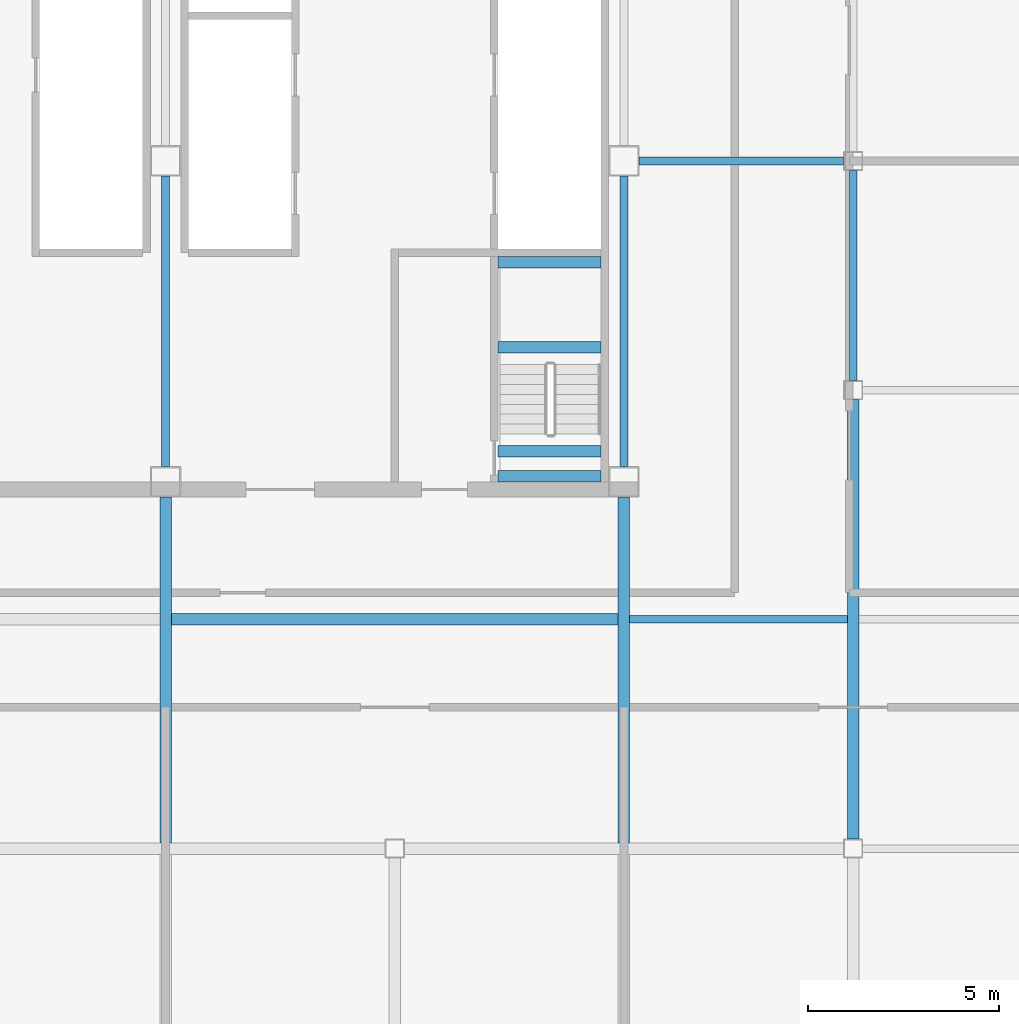
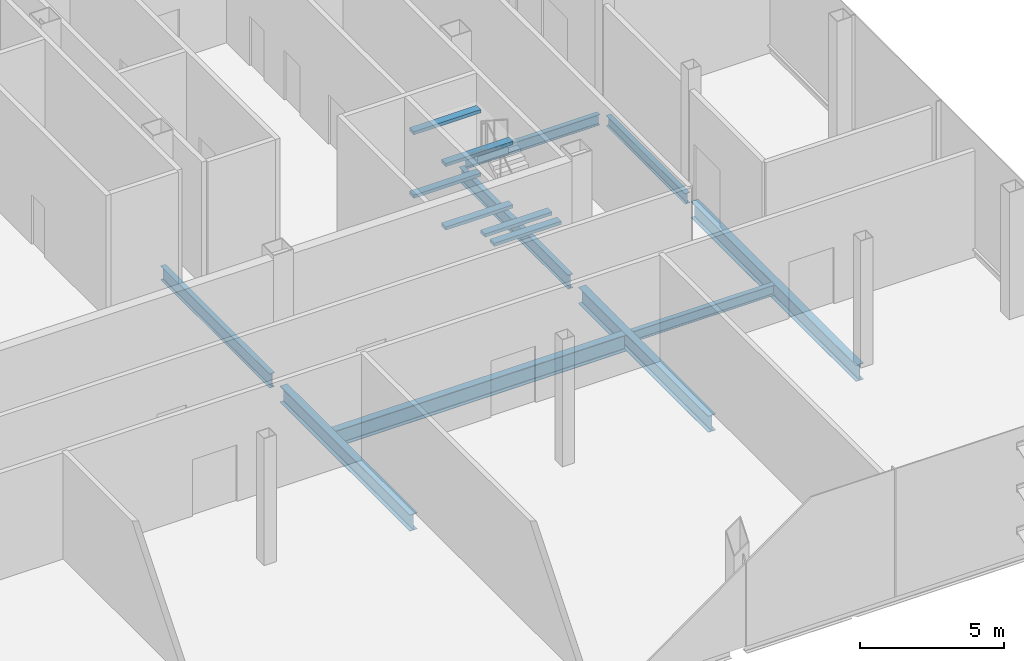
# One storey, part 10 of 26: 15 beams.
"""IFC4 building model written with IfcOpenShell, lengths in metres."""

from ifc_helpers import new_model, si_unit, direction, frame, origin, origin_2d, place, context, subcontext, project, spatial, rectangle, i_section, extrude, material, material_profile, profile_set, type_object, element, save


model = new_model("IFC4")

# Units and contexts
model_context = context("Model", 3, precision=1e-05, world=origin(), true_north=direction((0.0, 1.0)))
body_context = subcontext(model_context, "Body", "Model", "MODEL_VIEW")
ifc_project = project(units=[si_unit("LENGTHUNIT", "METRE"), si_unit("AREAUNIT", "SQUARE_METRE"), si_unit("VOLUMEUNIT", "CUBIC_METRE"), si_unit("PLANEANGLEUNIT", "RADIAN"), si_unit("MASSUNIT", "GRAM", prefix="KILO")], contexts=[model_context])

# Site, building, storey
site_placement = place(None, origin())
site = spatial("IfcSite", under=ifc_project, at=site_placement, CompositionType="ELEMENT")
building_placement = place(site_placement, origin())
building = spatial("IfcBuilding", under=site, at=building_placement, Name="Sorahane Residences", CompositionType="ELEMENT")
storey_placement = place(building_placement, frame((0.0, 0.0, 257.60009765625)))
storey = spatial("IfcBuildingStorey", under=building, at=storey_placement, Name="L61", CompositionType="ELEMENT", Elevation=257.60009765625)

# Beams
ifc_material_1 = material(Name="Concrete C40", Category="concrete")
ifc_material_profile_1 = material_profile(ifc_material_1, rectangle(XDim=0.300048828125, YDim=0.139892578125, at=origin_2d()), Name="300x140")
ifc_profile_set_1 = profile_set([ifc_material_profile_1], Name="Concrete C40")
beam_type_1 = type_object("IfcBeamType", Name="RC landing beam 300 x 140 Concrete C40", PredefinedType="BEAM", material=ifc_profile_set_1)
for number, where, z_axis, x_axis, name in (
    (1, (38.699951171875, 25.1201171875, 1.079833984375), (1.0, 0.0, 0.0), (0.0, 1.0, 0.0), "Landing beam"),
    (2, (38.699951171875, 27.35009765625, 1.079833984375), (1.0, 0.0, 0.0), (0.0, 1.0, 0.0), "Landing beam"),
    (3, (38.699951171875, 21.75, 2.429931640625), (1.0, 0.0, 0.0), (0.0, 1.0, 0.0), "Landing beam"),
    (4, (38.699951171875, 22.39990234375, 2.429931640625), (1.0, 0.0, 0.0), (0.0, 1.0, 0.0), "Landing beam"),
    (5, (38.699951171875, 25.1201171875, 3.77978515625), (1.0, 0.0, 0.0), (0.0, 1.0, 0.0), "Landing beam"),
    (6, (38.699951171875, 27.35009765625, 3.77978515625), (1.0, 0.0, 0.0), (0.0, 1.0, 0.0), "Landing beam"),
):
    element("IfcBeam", number, at=place(storey_placement, frame(where, z_axis=z_axis, x_axis=x_axis)), inside=storey, type_object=beam_type_1, Name=name, PredefinedType="BEAM", context=body_context, shape_type="SweptSolid", body=[
        extrude(rectangle(XDim=0.300048828125, YDim=0.139892578125, at=origin_2d()), origin(), (0.0, 0.0, 1.0), 2.699951171875),
    ])
ifc_material_2 = material(Name="Steel Q355B", Category="steel")
ifc_material_profile_2 = material_profile(ifc_material_2, i_section(OverallWidth=0.199951171875, OverallDepth=0.449951171875, WebThickness=0.009033203125, FlangeThickness=0.013916015625, FilletRadius=0.02001953125, at=origin_2d()), Name="HN 450x200x9x14")
ifc_profile_set_2 = profile_set([ifc_material_profile_2], Name="Steel Q355B")
beam_type_2 = type_object("IfcBeamType", Name="Steel floor beam HN 450x200x9x14 Q355B", PredefinedType="BEAM", material=ifc_profile_set_2)
beam_1_placement = place(storey_placement, frame((48.0, 24.25, -0.445068359375), z_axis=(0.0, 1.0, 0.0), x_axis=(-1.0, 0.0, 0.0)))
element("IfcBeam", 7, at=beam_1_placement, inside=storey, type_object=beam_type_2, Name="Beam L61 060", PredefinedType="BEAM", context=body_context, shape_type="SweptSolid", body=[
    extrude(i_section(OverallWidth=0.199951171875, OverallDepth=0.449951171875, WebThickness=0.009033203125, FlangeThickness=0.013916015625, FilletRadius=0.02001953125, at=origin_2d()), origin(), (0.0, 0.0, 1.0), 5.5),
])
beam_2_placement = place(storey_placement, frame((42.14990234375, 18.0, -0.445068359375), z_axis=(1.0, 0.0, 0.0), x_axis=(0.0, 1.0, 0.0)))
element("IfcBeam", 8, at=beam_2_placement, inside=storey, type_object=beam_type_2, Name="Beam L61 083", PredefinedType="BEAM", context=body_context, shape_type="SweptSolid", body=[
    extrude(i_section(OverallWidth=0.199951171875, OverallDepth=0.449951171875, WebThickness=0.009033203125, FlangeThickness=0.013916015625, FilletRadius=0.02001953125, at=origin_2d()), origin(), (0.0, 0.0, 1.0), 5.7001953125),
])
beam_3_placement = place(storey_placement, frame((42.39990234375, 30.0, -0.445068359375), z_axis=(1.0, 0.0, 0.0), x_axis=(0.0, 1.0, 0.0)))
element("IfcBeam", 9, at=beam_3_placement, inside=storey, type_object=beam_type_2, Name="Beam L61 087", PredefinedType="BEAM", context=body_context, shape_type="SweptSolid", body=[
    extrude(i_section(OverallWidth=0.199951171875, OverallDepth=0.449951171875, WebThickness=0.009033203125, FlangeThickness=0.013916015625, FilletRadius=0.02001953125, at=origin_2d()), origin(), (0.0, 0.0, 1.0), 5.35009765625),
])
ifc_material_3 = material(Name="Steel Q355B", Category="steel")
ifc_material_profile_3 = material_profile(ifc_material_3, i_section(OverallWidth=0.199951171875, OverallDepth=0.60009765625, WebThickness=0.010986328125, FlangeThickness=0.01708984375, FilletRadius=0.02392578125, at=origin_2d()), Name="HN 600x200x11x17")
ifc_profile_set_3 = profile_set([ifc_material_profile_3], Name="Steel Q355B")
beam_type_3 = type_object("IfcBeamType", Name="Steel floor beam HN 600x200x11x17 Q355B", PredefinedType="BEAM", material=ifc_profile_set_3)
for number, where, z_axis, x_axis, name in (
    (10, (30.0, 22.0, -0.52001953125), (0.0, 1.0, 0.0), (-1.0, 0.0, 0.0), "Beam L61 046"),
    (11, (42.0, 22.0, -0.52001953125), (0.0, 1.0, 0.0), (-1.0, 0.0, 0.0), "Beam L61 054"),
):
    element("IfcBeam", number, at=place(storey_placement, frame(where, z_axis=z_axis, x_axis=x_axis)), inside=storey, type_object=beam_type_3, Name=name, PredefinedType="BEAM", context=body_context, shape_type="SweptSolid", body=[
        extrude(i_section(OverallWidth=0.199951171875, OverallDepth=0.60009765625, WebThickness=0.010986328125, FlangeThickness=0.01708984375, FilletRadius=0.02392578125, at=origin_2d()), origin(), (0.0, 0.0, 1.0), 7.60009765625),
    ])
ifc_material_4 = material(Name="Steel Q355B", Category="steel")
ifc_material_profile_4 = material_profile(ifc_material_4, i_section(OverallWidth=0.300048828125, OverallDepth=0.699951171875, WebThickness=0.012939453125, FlangeThickness=0.02392578125, FilletRadius=0.028076171875, at=origin_2d()), Name="HN 700x300x13x24")
ifc_profile_set_4 = profile_set([ifc_material_profile_4], Name="Steel Q355B")
beam_type_4 = type_object("IfcBeamType", Name="Steel floor beam HN 700x300x13x24 Q355B", PredefinedType="BEAM", material=ifc_profile_set_4)
for number, where, z_axis, x_axis, name in (
    (12, (30.0, 12.14990234375, -0.570068359375), (0.0, 1.0, 0.0), (-1.0, 0.0, 0.0), "Beam L61 045"),
    (13, (42.0, 12.14990234375, -0.570068359375), (0.0, 1.0, 0.0), (-1.0, 0.0, 0.0), "Beam L61 053"),
):
    element("IfcBeam", number, at=place(storey_placement, frame(where, z_axis=z_axis, x_axis=x_axis)), inside=storey, type_object=beam_type_4, Name=name, PredefinedType="BEAM", context=body_context, shape_type="SweptSolid", body=[
        extrude(i_section(OverallWidth=0.300048828125, OverallDepth=0.699951171875, WebThickness=0.012939453125, FlangeThickness=0.02392578125, FilletRadius=0.028076171875, at=origin_2d()), origin(), (0.0, 0.0, 1.0), 9.050048828125),
    ])
beam_4_placement = place(storey_placement, frame((48.0, 12.25, -0.570068359375), z_axis=(0.0, 1.0, 0.0), x_axis=(-1.0, 0.0, 0.0)))
element("IfcBeam", 14, at=beam_4_placement, inside=storey, type_object=beam_type_4, Name="Beam L61 059", PredefinedType="BEAM", context=body_context, shape_type="SweptSolid", body=[
    extrude(i_section(OverallWidth=0.300048828125, OverallDepth=0.699951171875, WebThickness=0.012939453125, FlangeThickness=0.02392578125, FilletRadius=0.028076171875, at=origin_2d()), origin(), (0.0, 0.0, 1.0), 11.5),
])
beam_5_placement = place(storey_placement, frame((30.14990234375, 18.0, -0.570068359375), z_axis=(1.0, 0.0, 0.0), x_axis=(0.0, 1.0, 0.0)))
element("IfcBeam", 15, at=beam_5_placement, inside=storey, type_object=beam_type_4, Name="Beam L61 082", PredefinedType="BEAM", context=body_context, shape_type="SweptSolid", body=[
    extrude(i_section(OverallWidth=0.300048828125, OverallDepth=0.699951171875, WebThickness=0.012939453125, FlangeThickness=0.02392578125, FilletRadius=0.028076171875, at=origin_2d()), origin(), (0.0, 0.0, 1.0), 11.7001953125),
])

save(model, "model.ifc")
